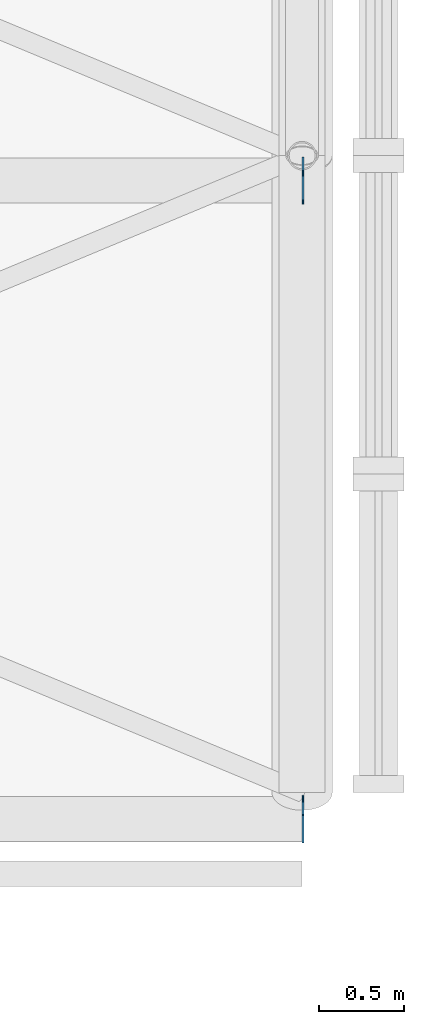
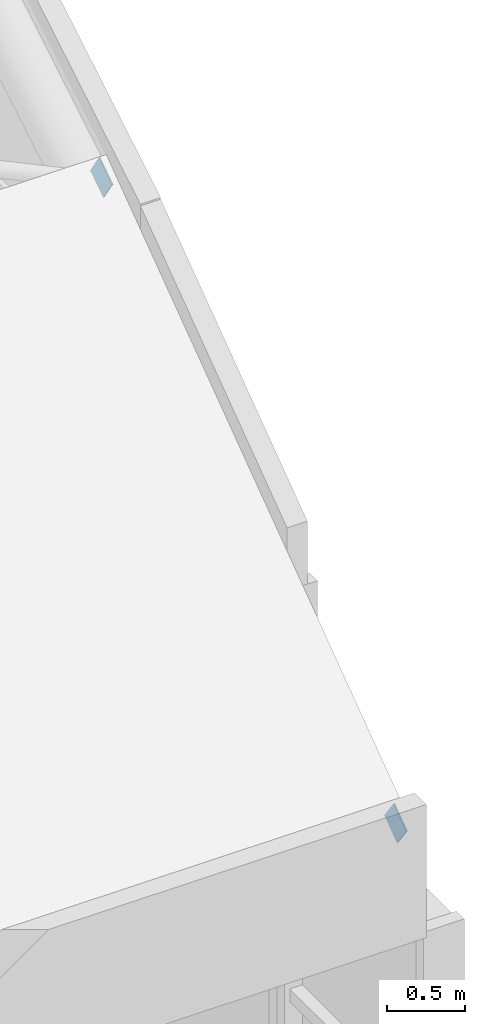
# One storey, part 127 of 153: 2 discrete accessories.
"""IFC4 building model written with IfcOpenShell, lengths in metres."""

from ifc_helpers import new_model, si_unit, direction, frame, origin, origin_2d, place, context, subcontext, project, spatial, rectangle, extrude, material, type_object, element, save


model = new_model("IFC4")

# Units and contexts
model_context = context("Model", 3, precision=1e-05, world=origin(), true_north=direction((0.0, 1.0)))
body_context = subcontext(model_context, "Body", "Model", "MODEL_VIEW")
ifc_project = project(units=[si_unit("LENGTHUNIT", "METRE"), si_unit("AREAUNIT", "SQUARE_METRE"), si_unit("VOLUMEUNIT", "CUBIC_METRE"), si_unit("PLANEANGLEUNIT", "RADIAN"), si_unit("MASSUNIT", "GRAM", prefix="KILO")], contexts=[model_context])

# Site, building, storey
site_placement = place(None, origin())
site = spatial("IfcSite", under=ifc_project, at=site_placement, CompositionType="ELEMENT")
building_placement = place(site_placement, origin())
building = spatial("IfcBuilding", under=site, at=building_placement, Name="Baradari Gate Terminus", CompositionType="ELEMENT")
storey_placement = place(building_placement, frame((0.0, 0.0, 11.699951171875)))
storey = spatial("IfcBuildingStorey", under=building, at=storey_placement, Name="L02", CompositionType="ELEMENT", Elevation=11.699951171875)

# Discrete accessories
ifc_material = material(Name="Steel S355", Category="steel")
discrete_accessory_type = type_object("IfcDiscreteAccessoryType", Name="Hollow section end plate EP-1 200x200x10", PredefinedType="ANCHORPLATE", material=ifc_material)
for number, where, z_axis, x_axis, name in (
    (1, (243.0, 35.8427734375, 0.350830078125), (1.0, 0.0, 0.0), (0.0, 0.80640499586, 0.591363663621), "End plate EP-1 at the end of TR/L02/B243-PU00"),
    (2, (243.0, 39.602783203125, 3.10791015625), (1.0, 0.0, 0.0), (0.0, 0.832836263724, 0.55351942859), "End plate EP-1 at the end of TR/L02/B243-PU01"),
):
    element("IfcDiscreteAccessory", number, at=place(storey_placement, frame(where, z_axis=z_axis, x_axis=x_axis)), inside=storey, type_object=discrete_accessory_type, Name=name, PredefinedType="ANCHORPLATE", context=body_context, shape_type="SweptSolid", body=[
        extrude(rectangle(XDim=0.199951171875, YDim=0.199951171875, at=origin_2d()), origin(), (0.0, 0.0, 1.0), 0.010009765625),
    ])

save(model, "model.ifc")
